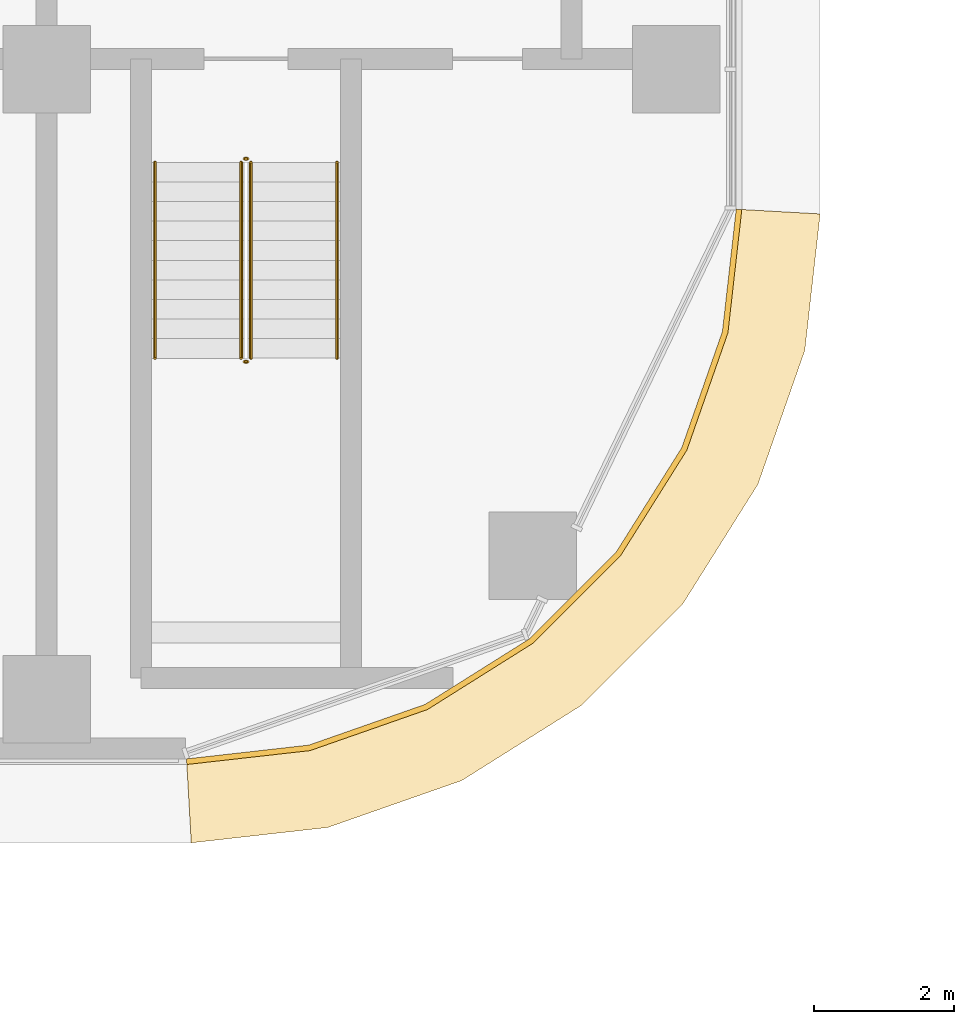
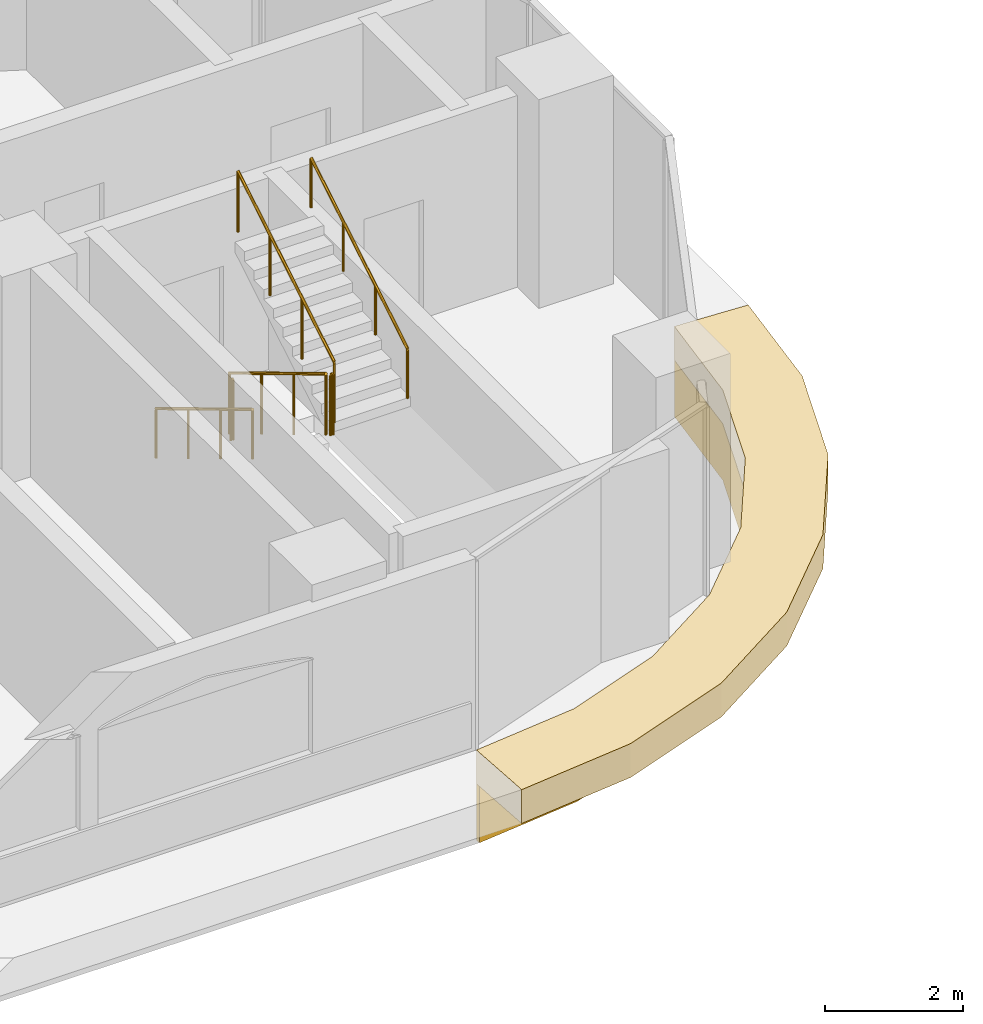
# One storey, part 35 of 40: 6 railings, 2 coverings.
"""IFC4 building model written with IfcOpenShell, lengths in metres."""

from ifc_helpers import new_model, si_unit, direction, frame, origin, origin_2d, place, context, subcontext, project, spatial, polyline, circle, outline, extrude, material, layer, layer_set, type_object, element, save


model = new_model("IFC4")

# Units and contexts
model_context = context("Model", 3, precision=1e-05, world=origin(), true_north=direction((0.0, 1.0)))
body_context = subcontext(model_context, "Body", "Model", "MODEL_VIEW")
ifc_project = project(units=[si_unit("LENGTHUNIT", "METRE"), si_unit("AREAUNIT", "SQUARE_METRE"), si_unit("VOLUMEUNIT", "CUBIC_METRE"), si_unit("PLANEANGLEUNIT", "RADIAN"), si_unit("MASSUNIT", "GRAM", prefix="KILO")], contexts=[model_context])

# Site, building, storey
site_placement = place(None, origin())
site = spatial("IfcSite", under=ifc_project, at=site_placement, CompositionType="ELEMENT")
building_placement = place(site_placement, origin())
building = spatial("IfcBuilding", under=site, at=building_placement, Name="Ogive Portal Towers", CompositionType="ELEMENT")
storey_placement = place(building_placement, frame((0.0, 0.0, 87.10009765625)))
storey = spatial("IfcBuildingStorey", under=building, at=storey_placement, Name="L20", CompositionType="ELEMENT", Elevation=87.10009765625)

# Railings
ifc_material_1 = material(Name="Stainless steel balustrade", Category="steel")
railing_type_1 = type_object("IfcRailingType", Name="INT-GUARD", PredefinedType="GUARDRAIL", material=ifc_material_1)
railing_1_placement = place(storey_placement, frame((88.280029296875, 29.169921875, 0.16796875)))
element("IfcRailing", 1, at=railing_1_placement, inside=storey, type_object=railing_type_1, Name="L20 ST-A4 stair guard 1", PredefinedType="GUARDRAIL", context=body_context, shape_type="SweptSolid", body=[
    extrude(circle(Radius=0.02392578125, at=origin_2d()), frame((0.0, 0.0, 1.076171875), z_axis=(0.0, -0.857222391501, 0.514946377315), x_axis=(1.0, 0.0, 0.0)), (0.0, 0.0, 1.0), 3.26611328125),
    extrude(circle(Radius=0.02099609375, at=origin_2d()), origin(), (0.0, 0.0, 1.0), 1.052001953125),
    extrude(circle(Radius=0.02099609375, at=origin_2d()), frame((0.0, -0.933349609375, 0.560546875)), (0.0, 0.0, 1.0), 1.052001953125),
    extrude(circle(Radius=0.02099609375, at=origin_2d()), frame((0.0, -1.866455078125, 1.121337890625)), (0.0, 0.0, 1.0), 1.052001953125),
    extrude(circle(Radius=0.02099609375, at=origin_2d()), frame((0.0, -2.7998046875, 1.681884765625)), (0.0, 0.0, 1.0), 1.052001953125),
])
railing_2_placement = place(storey_placement, frame((88.330078125, 26.320068359375, 1.849853515625)))
element("IfcRailing", 2, at=railing_2_placement, inside=storey, type_object=railing_type_1, Name="L20 ST-A4 stair guard 2", PredefinedType="GUARDRAIL", context=body_context, shape_type="SweptSolid", body=[
    extrude(circle(Radius=0.02392578125, at=origin_2d()), frame((0.0, 0.0, 1.076171875), z_axis=(1.0, 0.0, 0.0), x_axis=(0.0, 1.0, 0.0)), (0.0, 0.0, 1.0), 0.0400390625),
    extrude(circle(Radius=0.02099609375, at=origin_2d()), origin(), (0.0, 0.0, 1.0), 1.052001953125),
    extrude(circle(Radius=0.02099609375, at=origin_2d()), frame((0.0400390625, 0.0, 0.0)), (0.0, 0.0, 1.0), 1.052001953125),
])
railing_3_placement = place(storey_placement, frame((88.419921875, 26.3701171875, 2.01806640625)))
element("IfcRailing", 3, at=railing_3_placement, inside=storey, type_object=railing_type_1, Name="L20 ST-A4 stair guard 3", PredefinedType="GUARDRAIL", context=body_context, shape_type="SweptSolid", body=[
    extrude(circle(Radius=0.02392578125, at=origin_2d()), frame((0.0, 0.0, 1.076171875), z_axis=(0.0, 0.857222391501, 0.514946377315), x_axis=(-1.0, 0.0, 0.0)), (0.0, 0.0, 1.0), 3.26611328125),
    extrude(circle(Radius=0.02099609375, at=origin_2d()), origin(), (0.0, 0.0, 1.0), 1.052001953125),
    extrude(circle(Radius=0.02099609375, at=origin_2d()), frame((0.0, 0.933349609375, 0.560546875)), (0.0, 0.0, 1.0), 1.052001953125),
    extrude(circle(Radius=0.02099609375, at=origin_2d()), frame((0.0, 1.866455078125, 1.121337890625)), (0.0, 0.0, 1.0), 1.052001953125),
    extrude(circle(Radius=0.02099609375, at=origin_2d()), frame((0.0, 2.7998046875, 1.681884765625)), (0.0, 0.0, 1.0), 1.052001953125),
])
railing_4_placement = place(storey_placement, frame((88.330078125, 29.219970703125, 0.0)))
element("IfcRailing", 4, at=railing_4_placement, inside=storey, type_object=railing_type_1, Name="L20 ST-A4 stair guard 4", PredefinedType="GUARDRAIL", context=body_context, shape_type="SweptSolid", body=[
    extrude(circle(Radius=0.02392578125, at=origin_2d()), frame((0.0, 0.0, 1.076171875), z_axis=(1.0, 0.0, 0.0), x_axis=(0.0, 1.0, 0.0)), (0.0, 0.0, 1.0), 0.0400390625),
    extrude(circle(Radius=0.02099609375, at=origin_2d()), origin(), (0.0, 0.0, 1.0), 1.052001953125),
    extrude(circle(Radius=0.02099609375, at=origin_2d()), frame((0.0400390625, 0.0, 0.0)), (0.0, 0.0, 1.0), 1.052001953125),
])
ifc_material_2 = material(Name="Stainless steel handrail", Category="steel")
railing_type_2 = type_object("IfcRailingType", Name="INT-HANDRAIL", PredefinedType="HANDRAIL", material=ifc_material_2)
railing_5_placement = place(storey_placement, frame((87.050048828125, 29.169921875, 0.16796875)))
element("IfcRailing", 5, at=railing_5_placement, inside=storey, type_object=railing_type_2, Name="L20 ST-A4 stair handrail 1", PredefinedType="HANDRAIL", context=body_context, shape_type="SweptSolid", body=[
    extrude(circle(Radius=0.02392578125, at=origin_2d()), frame((0.0, 0.0, 0.8759765625), z_axis=(0.0, -0.857222391501, 0.514946377315), x_axis=(1.0, 0.0, 0.0)), (0.0, 0.0, 1.0), 3.26611328125),
    extrude(circle(Radius=0.02099609375, at=origin_2d()), origin(), (0.0, 0.0, 1.0), 0.851806640625),
    extrude(circle(Radius=0.02099609375, at=origin_2d()), frame((0.0, -0.933349609375, 0.560546875)), (0.0, 0.0, 1.0), 0.851806640625),
    extrude(circle(Radius=0.02099609375, at=origin_2d()), frame((0.0, -1.866455078125, 1.121337890625)), (0.0, 0.0, 1.0), 0.851806640625),
    extrude(circle(Radius=0.02099609375, at=origin_2d()), frame((0.0, -2.7998046875, 1.681884765625)), (0.0, 0.0, 1.0), 0.851806640625),
])
railing_6_placement = place(storey_placement, frame((89.64990234375, 26.3701171875, 2.01806640625)))
element("IfcRailing", 6, at=railing_6_placement, inside=storey, type_object=railing_type_2, Name="L20 ST-A4 stair handrail 2", PredefinedType="HANDRAIL", context=body_context, shape_type="SweptSolid", body=[
    extrude(circle(Radius=0.02392578125, at=origin_2d()), frame((0.0, 0.0, 0.8759765625), z_axis=(0.0, 0.857222391501, 0.514946377315), x_axis=(-1.0, 0.0, 0.0)), (0.0, 0.0, 1.0), 3.26611328125),
    extrude(circle(Radius=0.02099609375, at=origin_2d()), origin(), (0.0, 0.0, 1.0), 0.851806640625),
    extrude(circle(Radius=0.02099609375, at=origin_2d()), frame((0.0, 0.933349609375, 0.560546875)), (0.0, 0.0, 1.0), 0.851806640625),
    extrude(circle(Radius=0.02099609375, at=origin_2d()), frame((0.0, 1.866455078125, 1.121337890625)), (0.0, 0.0, 1.0), 0.851806640625),
    extrude(circle(Radius=0.02099609375, at=origin_2d()), frame((0.0, 2.7998046875, 1.681884765625)), (0.0, 0.0, 1.0), 0.851806640625),
])

# Coverings
ifc_material_3 = material(Name="Limestone cladding on lightweight block wall", Category="masonry")
ifc_layer_1 = layer(ifc_material_3, 0.080078125)
ifc_layer_set_1 = layer_set([ifc_layer_1], Name="STONE SPANDREL 80")
covering_type_1 = type_object("IfcCoveringType", Name="STONE SPANDREL 80", PredefinedType="CLADDING", material=ifc_layer_set_1)
covering_1_placement = place(storey_placement, frame((0.0, 0.0, -1.60009765625)))
element("IfcCovering", 7, at=covering_1_placement, inside=storey, type_object=covering_type_1, Name="Stone spandrel A1-F06", PredefinedType="CLADDING", context=body_context, shape_type="SweptSolid", body=[
    extrude(outline(polyline([(87.5, 20.64501953125), (89.247802734375, 20.842041015625), (90.908203125, 21.4228515625), (92.3974609375, 22.358642578125), (93.641357421875, 23.6025390625), (94.5771484375, 25.091796875), (95.157958984375, 26.752197265625), (95.35498046875, 28.5), (95.43505859375, 28.49560546875), (95.236572265625, 26.734130859375), (94.649658203125, 25.056884765625), (93.704345703125, 23.55224609375), (92.44775390625, 22.295654296875), (90.943115234375, 21.350341796875), (89.265869140625, 20.763427734375), (87.50439453125, 20.56494140625), (87.5, 20.64501953125)])), origin(), (0.0, 0.0, 1.0), 1.0),
])
ifc_layer_2 = layer(ifc_material_3, 0.60009765625)
ifc_layer_set_2 = layer_set([ifc_layer_2], Name="SUNSHADE LIP 600")
covering_type_2 = type_object("IfcCoveringType", Name="SUNSHADE LIP 600", PredefinedType="CLADDING", material=ifc_layer_set_2)
covering_2_placement = place(storey_placement, frame((0.0, 0.0, -0.60009765625)))
element("IfcCovering", 8, at=covering_2_placement, inside=storey, type_object=covering_type_2, Name="Sunshade lip A1-F06", PredefinedType="CLADDING", context=body_context, shape_type="SweptSolid", body=[
    extrude(outline(polyline([(87.5, 20.64501953125), (89.247802734375, 20.842041015625), (90.908203125, 21.4228515625), (92.3974609375, 22.358642578125), (93.641357421875, 23.6025390625), (94.5771484375, 25.091796875), (95.157958984375, 26.752197265625), (95.35498046875, 28.5), (96.554931640625, 28.4326171875), (96.33544921875, 26.4833984375), (95.6650390625, 24.56787109375), (94.58544921875, 22.849609375), (93.150390625, 21.41455078125), (91.43212890625, 20.3349609375), (89.5166015625, 19.66455078125), (87.5673828125, 19.445068359375), (87.5, 20.64501953125)])), origin(), (0.0, 0.0, 1.0), 0.60009765625),
])

save(model, "model.ifc")
